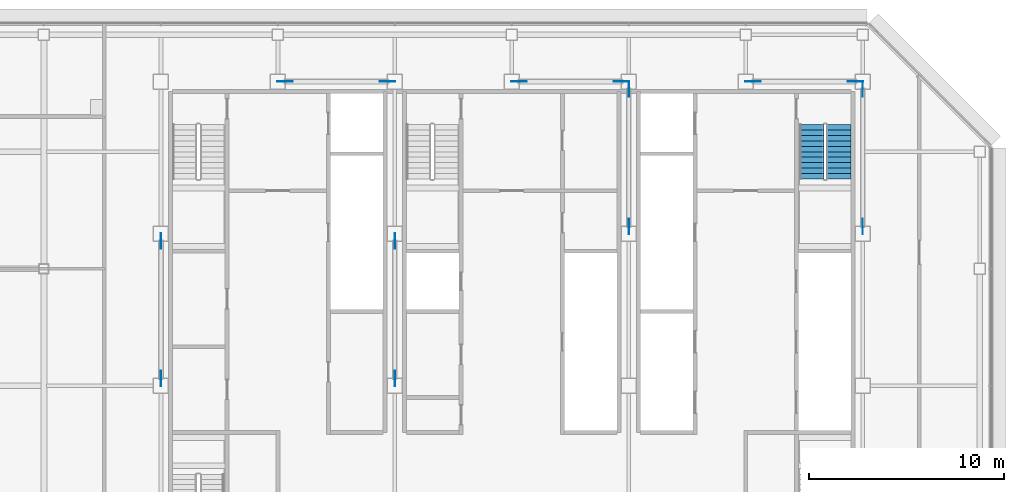
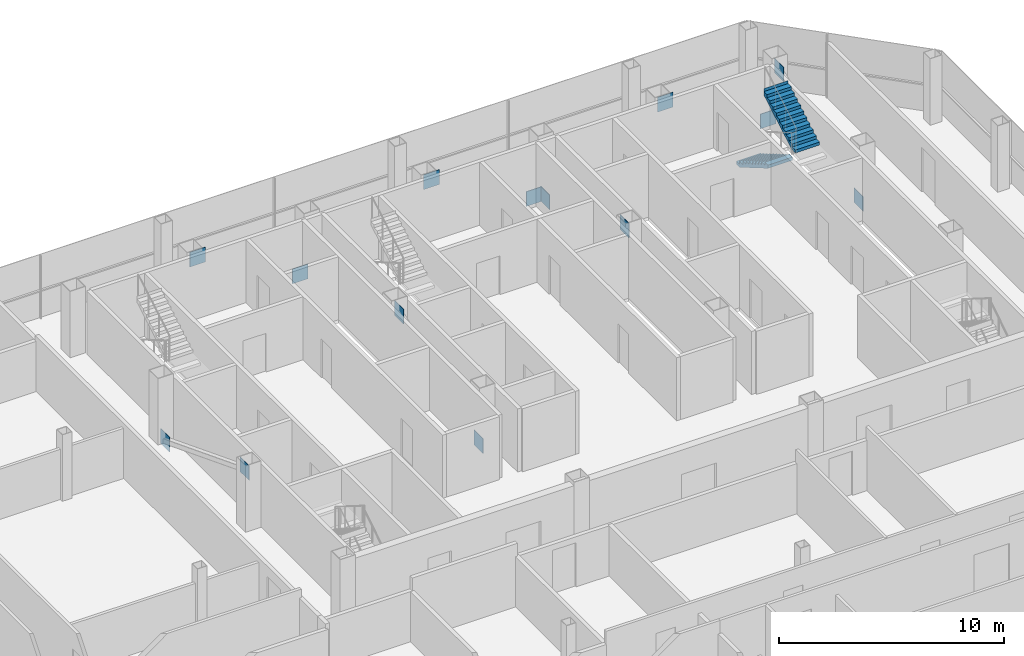
# One storey, part 25 of 27: 14 discrete accessories, 2 stair flights, 1 element without a shape of its own.
"""IFC4 building model written with IfcOpenShell, lengths in metres."""

from ifc_helpers import new_model, si_unit, direction, frame, origin, origin_2d, place, context, subcontext, project, spatial, polyline, rectangle, outline, extrude, material, layer, layer_set, type_object, element, aggregate, save


model = new_model("IFC4")

# Units and contexts
model_context = context("Model", 3, precision=1e-05, world=origin(), true_north=direction((0.0, 1.0)))
body_context = subcontext(model_context, "Body", "Model", "MODEL_VIEW")
ifc_project = project(units=[si_unit("LENGTHUNIT", "METRE"), si_unit("AREAUNIT", "SQUARE_METRE"), si_unit("VOLUMEUNIT", "CUBIC_METRE"), si_unit("PLANEANGLEUNIT", "RADIAN"), si_unit("MASSUNIT", "GRAM", prefix="KILO")], contexts=[model_context])

# Site, building, storey
site_placement = place(None, origin())
site = spatial("IfcSite", under=ifc_project, at=site_placement, CompositionType="ELEMENT")
building_placement = place(site_placement, origin())
building = spatial("IfcBuilding", under=site, at=building_placement, Name="Sorahane Residences", CompositionType="ELEMENT")
storey_placement = place(building_placement, frame((0.0, 0.0, 294.39990234375)))
storey = spatial("IfcBuildingStorey", under=building, at=storey_placement, Name="L69", CompositionType="ELEMENT", Elevation=294.39990234375)

# Stair, stair flights
ifc_material_1 = material(Name="Concrete C40", Category="concrete")
stair_type = type_object("IfcStairType", Name="Dog-leg stair 1250 Concrete C40", PredefinedType="HALF_TURN_STAIR", material=ifc_material_1)
stair_placement = place(storey_placement, origin())
stair = element("IfcStair", 1, at=stair_placement, inside=storey, type_object=stair_type, Name="L69 Stair S2", PredefinedType="HALF_TURN_STAIR")
ifc_material_2 = material(Name="Concrete C40", Category="concrete")
stair_flight_type = type_object("IfcStairFlightType", Name="Stair flight 1250 Concrete C40", PredefinedType="STRAIGHT", material=ifc_material_2)
stair_flight_1_placement = place(storey_placement, frame((39.375, 43.39990234375, 0.0), z_axis=(0.0, 0.0, 1.0), x_axis=(0.0, -1.0, 0.0)))
stair_flight_1 = element("IfcStairFlight", 2, at=stair_flight_1_placement, type_object=stair_flight_type, Name="S2 flight 1", NumberOfRisers=11, NumberOfTreads=10, PredefinedType="STRAIGHT", RiserHeight=0.163636364, TreadLength=0.28, context=body_context, shape_type="SweptSolid", body=[
    extrude(outline(polyline([(-0.00146484375, 0.0), (-0.00146484375, 0.16357421875), (0.0, 0.16357421875), (0.280029296875, 0.16357421875), (0.280029296875, 0.327392578125), (0.56005859375, 0.327392578125), (0.56005859375, 0.490966796875), (0.840087890625, 0.490966796875), (0.840087890625, 0.654541015625), (1.1201171875, 0.654541015625), (1.1201171875, 0.818115234375), (1.39990234375, 0.818115234375), (1.39990234375, 0.98193359375), (1.679931640625, 0.98193359375), (1.679931640625, 1.1455078125), (1.9599609375, 1.1455078125), (1.9599609375, 1.30908203125), (2.239990234375, 1.30908203125), (2.239990234375, 1.47265625), (2.52001953125, 1.47265625), (2.52001953125, 1.636474609375), (2.800048828125, 1.636474609375), (2.800048828125, 1.800048828125), (2.800048828125, 1.462646484375), (2.59130859375, 1.3408203125), (2.3828125, 1.218994140625), (2.17431640625, 1.09716796875), (1.965576171875, 0.97509765625), (1.757080078125, 0.853271484375), (1.548583984375, 0.7314453125), (1.340087890625, 0.609375), (1.13134765625, 0.487548828125), (0.9228515625, 0.36572265625), (0.71435546875, 0.243896484375), (0.505615234375, 0.121826171875), (0.297119140625, 0.0), (-0.00146484375, 0.0)])), frame((0.0, 0.625, 0.0), z_axis=(0.0, -1.0, 0.0), x_axis=(1.0, 0.0, 0.0)), (0.0, 0.0, 1.0), 1.25),
])
stair_flight_2_placement = place(storey_placement, frame((40.77490234375, 40.60009765625, 1.800048828125), z_axis=(0.0, 0.0, 1.0), x_axis=(0.0, 1.0, 0.0)))
stair_flight_2 = element("IfcStairFlight", 3, at=stair_flight_2_placement, type_object=stair_flight_type, Name="S2 flight 2", NumberOfRisers=11, NumberOfTreads=10, PredefinedType="STRAIGHT", RiserHeight=0.163636364, TreadLength=0.28, context=body_context, shape_type="SweptSolid", body=[
    extrude(outline(polyline([(0.0, 0.0), (0.0, 0.16357421875), (0.280029296875, 0.16357421875), (0.280029296875, 0.327392578125), (0.56005859375, 0.327392578125), (0.56005859375, 0.490966796875), (0.840087890625, 0.490966796875), (0.840087890625, 0.654541015625), (1.1201171875, 0.654541015625), (1.1201171875, 0.818115234375), (1.39990234375, 0.818115234375), (1.39990234375, 0.98193359375), (1.679931640625, 0.98193359375), (1.679931640625, 1.1455078125), (1.9599609375, 1.1455078125), (1.9599609375, 1.30908203125), (2.239990234375, 1.30908203125), (2.239990234375, 1.47265625), (2.52001953125, 1.47265625), (2.52001953125, 1.636474609375), (2.800048828125, 1.636474609375), (2.800048828125, 1.800048828125), (2.801513671875, 1.800048828125), (2.801513671875, 1.462646484375), (2.5927734375, 1.3408203125), (2.384033203125, 1.218994140625), (2.17529296875, 1.09716796875), (1.966796875, 0.97509765625), (1.758056640625, 0.853271484375), (1.54931640625, 0.7314453125), (1.340576171875, 0.609375), (1.1318359375, 0.487548828125), (0.923095703125, 0.36572265625), (0.714599609375, 0.243896484375), (0.505859375, 0.121826171875), (0.297119140625, 0.0), (0.0, 0.0)])), frame((0.0, 0.625, 0.0), z_axis=(0.0, -1.0, 0.0), x_axis=(1.0, 0.0, 0.0)), (0.0, 0.0, 1.0), 1.25),
])
aggregate(stair, [stair_flight_1, stair_flight_2])

# Discrete accessories
ifc_material_3 = material(Name="Steel Q355B", Category="steel")
ifc_layer = layer(ifc_material_3, 0.02490234375)
ifc_layer_set = layer_set([ifc_layer], Name="Node plate Steel Q355B 25")
discrete_accessory_type = type_object("IfcDiscreteAccessoryType", Name="Node plate Steel Q355B 25", PredefinedType="BRACKET", material=ifc_layer_set)
for number, where, z_axis, x_axis, name in (
    (4, (6.0, 37.42724609375, -0.28564453125), (0.0, 0.0, 1.0), (0.0, 1.0, 0.0), "Node plate L69 br"),
    (5, (6.0, 30.372802734375, 2.45556640625), (0.0, 0.0, 1.0), (0.0, 1.0, 0.0), "Node plate L69 br"),
    (6, (18.0, 30.372802734375, -0.28564453125), (0.0, 0.0, 1.0), (0.0, 1.0, 0.0), "Node plate L69 br"),
    (7, (18.0, 37.42724609375, 2.45556640625), (0.0, 0.0, 1.0), (0.0, 1.0, 0.0), "Node plate L69 br"),
    (8, (30.0, 45.227294921875, -0.28564453125), (0.0, 0.0, 1.0), (0.0, 1.0, 0.0), "Node plate L69 br"),
    (9, (30.0, 38.1728515625, 2.45556640625), (0.0, 0.0, 1.0), (0.0, 1.0, 0.0), "Node plate L69 br"),
    (10, (42.0, 38.1728515625, -0.28564453125), (0.0, 0.0, 1.0), (0.0, 1.0, 0.0), "Node plate L69 br"),
    (11, (42.0, 45.227294921875, 2.45556640625), (0.0, 0.0, 1.0), (0.0, 1.0, 0.0), "Node plate L69 br"),
    (12, (17.634765625, 45.60009765625, -0.29296875), (0.0, 0.0, 1.0), (1.0, 0.0, 0.0), "Node plate L69 br"),
    (13, (29.634765625, 45.60009765625, -0.29296875), (0.0, 0.0, 1.0), (1.0, 0.0, 0.0), "Node plate L69 br"),
    (14, (41.634765625, 45.60009765625, -0.29296875), (0.0, 0.0, 1.0), (1.0, 0.0, 0.0), "Node plate L69 br"),
    (15, (12.365234375, 45.60009765625, 2.46337890625), (0.0, 0.0, 1.0), (1.0, 0.0, 0.0), "Node plate L69 br"),
    (16, (24.365234375, 45.60009765625, 2.46337890625), (0.0, 0.0, 1.0), (1.0, 0.0, 0.0), "Node plate L69 br"),
    (17, (36.365234375, 45.60009765625, 2.46337890625), (0.0, 0.0, 1.0), (1.0, 0.0, 0.0), "Node plate L69 br"),
):
    element("IfcDiscreteAccessory", number, at=place(storey_placement, frame(where, z_axis=z_axis, x_axis=x_axis)), inside=storey, type_object=discrete_accessory_type, Name=name, PredefinedType="BRACKET", context=body_context, shape_type="SweptSolid", body=[
        extrude(rectangle(XDim=0.800048828125, YDim=0.02490234375, at=origin_2d()), origin(), (0.0, 0.0, 1.0), 0.800048828125),
    ])

save(model, "model.ifc")
